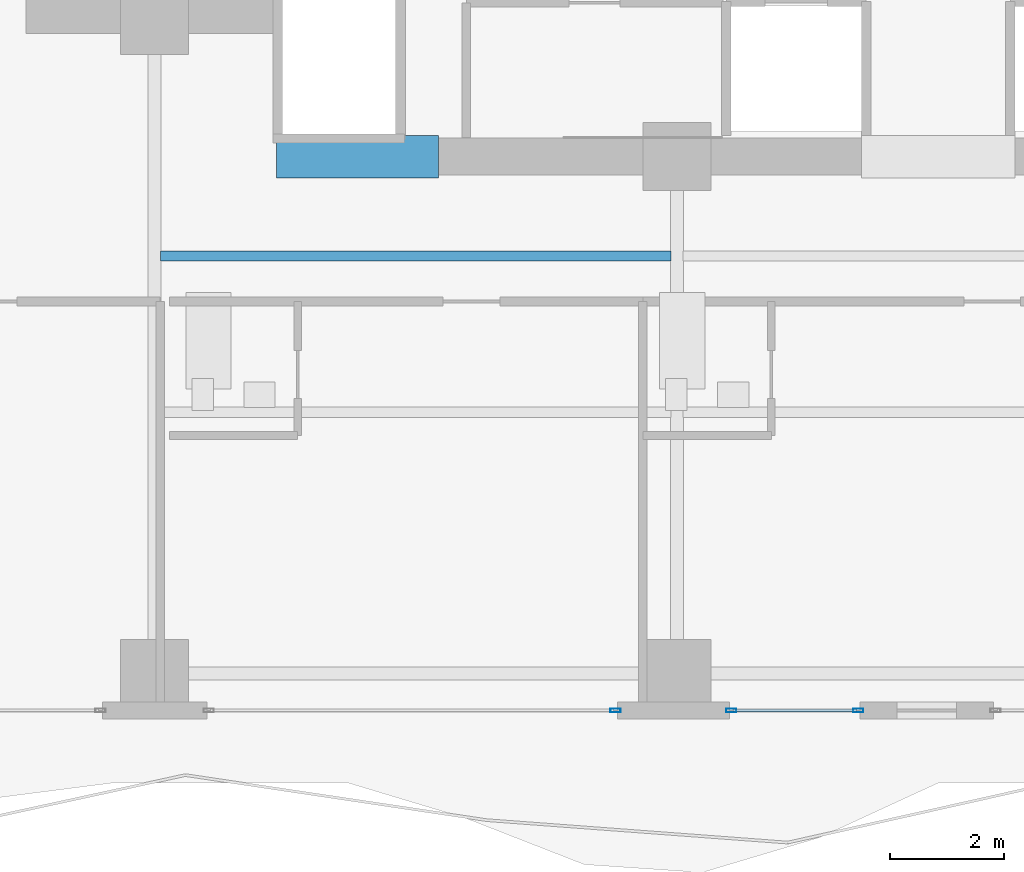
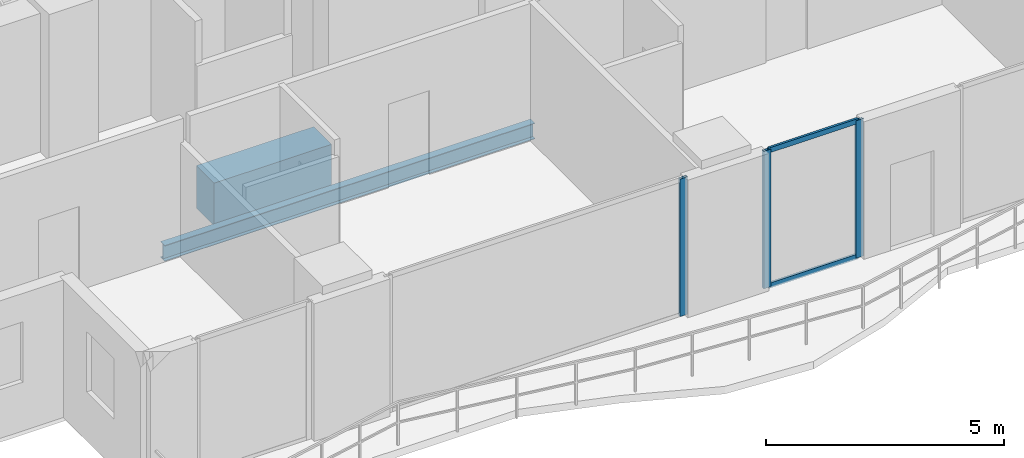
# One storey, part 5 of 32: 5 members, 2 beams, 2 elements without a shape of their own.
"""IFC4 building model written with IfcOpenShell, lengths in metres."""

import ifcopenshell
import ifcopenshell.guid

model = None  # the IFC model being written
_history = None  # IfcOwnerHistory: only IFC2X3 demands one
_inside = {}  # id of a spatial element -> (the spatial element, [elements in it])
_under = {}  # id of a project, library or spatial element -> (it, [spatial elements below it])
_declared = {}  # id of a project -> (the project, [libraries it declares])
_typed = {}  # id of a type object -> (the type object, [elements of that type])
_made_of = {}  # id of a material, layer set ... -> (it, [elements and type objects made of it])


def new_model(schema):
    """Start an empty IFC model of exactly this schema.

    Asked for "IFC4X3", IfcOpenShell would pick the latest addendum, in which some entities
    have other attributes; the version numbers below select the first issue.
    IFC2X3 requires an IfcOwnerHistory on every rooted entity: one is made here for all.
    """
    global model, _history
    if schema == "IFC4X3":
        model = ifcopenshell.file(schema_version=(4, 3, 0, 0))
    else:
        model = ifcopenshell.file(schema=schema)
    _inside.clear()
    _under.clear()
    _declared.clear()
    _typed.clear()
    _made_of.clear()
    _history = None
    if model.schema == "IFC2X3":
        org = make("IfcOrganization", Name="unknown")
        user = make(
            "IfcPersonAndOrganization",
            ThePerson=make("IfcPerson", FamilyName="unknown"),
            TheOrganization=org,
        )
        app = make(
            "IfcApplication",
            ApplicationDeveloper=org,
            Version="unknown",
            ApplicationFullName="unknown",
            ApplicationIdentifier="unknown",
        )
        _history = make(
            "IfcOwnerHistory",
            OwningUser=user,
            OwningApplication=app,
            ChangeAction="ADDED",
            CreationDate=0,
        )
    return model


def make(cls, **values):
    """One entity of the class cls with the attributes given. An attribute that is None is left unset."""
    return model.create_entity(
        cls, **{name: value for name, value in values.items() if value is not None}
    )


def rooted(cls, **values):
    """An entity with a GlobalId (a new one), such as an element, a storey or a relation."""
    return make(cls, GlobalId=ifcopenshell.guid.new(), OwnerHistory=_history, **values)


def si_unit(unit_type, name, prefix=None):
    """IfcSIUnit, for example si_unit("LENGTHUNIT", "METRE", prefix="MILLI")."""
    return make("IfcSIUnit", UnitType=unit_type, Prefix=prefix, Name=name)


def assignment(units):
    """IfcUnitAssignment: the units of a project."""
    return None if units is None else make("IfcUnitAssignment", Units=units)


def point(xyz):
    """IfcCartesianPoint."""
    return None if xyz is None else make("IfcCartesianPoint", Coordinates=xyz)


def direction(xyz):
    """IfcDirection."""
    return None if xyz is None else make("IfcDirection", DirectionRatios=xyz)


def frame(location, z_axis=None, x_axis=None):
    """IfcAxis2Placement3D, a coordinate frame: its origin and axes. An axis left out is left unset."""
    return make(
        "IfcAxis2Placement3D",
        Location=point(location),
        Axis=direction(z_axis),
        RefDirection=direction(x_axis),
    )


def frame_2d(location, x_axis=None):
    """IfcAxis2Placement2D, a coordinate frame in the plane: its origin and x axis."""
    return make(
        "IfcAxis2Placement2D", Location=point(location), RefDirection=direction(x_axis)
    )


def origin():
    """The frame at (0, 0, 0) with its axes left unset."""
    return frame((0.0, 0.0, 0.0))


def origin_2d():
    """The frame at (0, 0) in the plane with its x axis left unset."""
    return frame_2d((0.0, 0.0))


def place(relative_to, where):
    """IfcLocalPlacement: puts the frame where relative to a parent placement (None: the world)."""
    return make(
        "IfcLocalPlacement", PlacementRelTo=relative_to, RelativePlacement=where
    )


def context(
    kind, dimensions, precision=None, world=None, true_north=None, identifier=None
):
    """IfcGeometricRepresentationContext, for example the 3D "Model" context."""
    return make(
        "IfcGeometricRepresentationContext",
        ContextIdentifier=identifier,
        ContextType=kind,
        CoordinateSpaceDimension=dimensions,
        Precision=precision,
        WorldCoordinateSystem=world,
        TrueNorth=true_north,
    )


def subcontext(parent, identifier, kind, view, scale=None):
    """IfcGeometricRepresentationSubContext, for example "Body" below "Model"."""
    return make(
        "IfcGeometricRepresentationSubContext",
        ContextIdentifier=identifier,
        ContextType=kind,
        ParentContext=parent,
        TargetScale=scale,
        TargetView=view,
    )


def project(units=None, contexts=None):
    """IfcProject with its units and contexts."""
    return rooted(
        "IfcProject",
        Name="project",
        RepresentationContexts=contexts,
        UnitsInContext=assignment(units),
    )


def spatial(cls, under=None, at=None, **own):
    """A site, building, storey or space (cls), placed at a placement, below another one or the project."""
    s = rooted(cls, ObjectPlacement=at, **own)
    if under is not None:
        _under.setdefault(under.id(), (under, []))[1].append(s)
    return s


def profile(cls, at=None, kind="AREA", **sizes):
    """A parametric profile (cls). Its sizes go by their IFC names, for example OverallWidth=200.0."""
    return make(cls, ProfileType=kind, Position=at, **sizes)


def rectangle(**sizes):
    """IfcRectangleProfileDef."""
    return profile("IfcRectangleProfileDef", **sizes)


def hollow_rectangle(**sizes):
    """IfcRectangleHollowProfileDef."""
    return profile("IfcRectangleHollowProfileDef", **sizes)


def i_section(**sizes):
    """IfcIShapeProfileDef."""
    return profile("IfcIShapeProfileDef", **sizes)


def extrude(swept, where, along, depth):
    """IfcExtrudedAreaSolid: the profile swept, set in the frame where, extruded along a direction by depth."""
    return make(
        "IfcExtrudedAreaSolid",
        SweptArea=swept,
        Position=where,
        ExtrudedDirection=direction(along),
        Depth=depth,
    )


def shape(context_of_items, identifier, shape_type, items):
    """IfcShapeRepresentation: the items that make up one representation, for example the "Body"."""
    return make(
        "IfcShapeRepresentation",
        ContextOfItems=context_of_items,
        RepresentationIdentifier=identifier,
        RepresentationType=shape_type,
        Items=items,
    )


def material(Name=None, Category=None):
    """IfcMaterial."""
    return make("IfcMaterial", Name=Name, Category=Category)


def layer(
    of_material, thickness, ventilated=None, Name=None, Category=None, Priority=None
):
    """IfcMaterialLayer: one layer of a wall or slab, of a material (None: an air gap)."""
    return make(
        "IfcMaterialLayer",
        Material=of_material,
        LayerThickness=thickness,
        IsVentilated=ventilated,
        Name=Name,
        Category=Category,
        Priority=Priority,
    )


def layer_set(layers, Name=None):
    """IfcMaterialLayerSet."""
    return make("IfcMaterialLayerSet", MaterialLayers=layers, LayerSetName=Name)


def material_profile(
    of_material, cross_section, Name=None, Category=None, Priority=None
):
    """IfcMaterialProfile: a cross section and its material."""
    return make(
        "IfcMaterialProfile",
        Name=Name,
        Material=of_material,
        Profile=cross_section,
        Priority=Priority,
        Category=Category,
    )


def profile_set(profiles, Name=None, composite=None):
    """IfcMaterialProfileSet."""
    return make(
        "IfcMaterialProfileSet",
        Name=Name,
        MaterialProfiles=profiles,
        CompositeProfile=composite,
    )


def made_of(thing, what):
    """Note that an element or type object is made of a material, layer set ...; save() writes the relation."""
    if what is not None:
        _made_of.setdefault(what.id(), (what, []))[1].append(thing)
    return thing


def type_object(cls, material=None, **own):
    """A type object (cls), such as IfcWallType, which elements share."""
    return made_of(rooted(cls, **own), material)


def element(
    cls,
    number,
    at=None,
    inside=None,
    cuts=None,
    type_object=None,
    material=None,
    context=None,
    identifier="Body",
    shape_type=None,
    held_by="IfcProductDefinitionShape",
    body=None,
    shapes=None,
    **own,
):
    """One element of the class cls, such as IfcWall. Its Tag is "e" and its number.

    at: its placement. inside: the storey or other place that contains it. cuts: it is an
    opening in that element (IfcRelVoidsElement). A single representation is given by context,
    identifier, shape_type and body (its items); several are given by shapes. held_by: the class
    of the entity that holds the representations. save() writes the other relations.
    """
    e = rooted(cls, Tag="e%d" % number, ObjectPlacement=at, **own)
    if body is not None:
        shapes = [shape(context, identifier, shape_type, body)]
    if shapes is not None:
        e.Representation = make(held_by, Representations=shapes)
    if inside is not None:
        _inside.setdefault(inside.id(), (inside, []))[1].append(e)
    if cuts is not None:
        rooted(
            "IfcRelVoidsElement", RelatingBuildingElement=cuts, RelatedOpeningElement=e
        )
    if type_object is not None:
        _typed.setdefault(type_object.id(), (type_object, []))[1].append(e)
    return made_of(e, material)


def aggregate(whole, parts):
    """IfcRelAggregates: a whole, such as a stair, and the parts it consists of."""
    return rooted("IfcRelAggregates", RelatingObject=whole, RelatedObjects=parts)


def save(model, path):
    """Write the relations noted so far, then the file.

    IfcRelAggregates (storeys below a building ...), IfcRelContainedInSpatialStructure (elements
    in a storey), IfcRelDefinesByType, IfcRelAssociatesMaterial and IfcRelDeclares: one each for
    every whole, place, type object, material and project.
    """
    for whole, parts in _under.values():
        aggregate(whole, parts)
    for where, things in _inside.values():
        rooted(
            "IfcRelContainedInSpatialStructure",
            RelatedElements=things,
            RelatingStructure=where,
        )
    for kind, things in _typed.values():
        rooted("IfcRelDefinesByType", RelatedObjects=things, RelatingType=kind)
    for what, things in _made_of.values():
        rooted("IfcRelAssociatesMaterial", RelatedObjects=things, RelatingMaterial=what)
    for by, libraries in _declared.values():
        rooted("IfcRelDeclares", RelatingContext=by, RelatedDefinitions=libraries)
    model.write(path)


model = new_model("IFC4")

# Units and contexts
model_context = context("Model", 3, precision=1e-05, world=origin(), true_north=direction((0.0, 1.0)))
body_context = subcontext(model_context, "Body", "Model", "MODEL_VIEW")
ifc_project = project(units=[si_unit("LENGTHUNIT", "METRE"), si_unit("AREAUNIT", "SQUARE_METRE"), si_unit("VOLUMEUNIT", "CUBIC_METRE"), si_unit("PLANEANGLEUNIT", "RADIAN"), si_unit("MASSUNIT", "GRAM", prefix="KILO")], contexts=[model_context])

# Site, building, storey
site_placement = place(None, origin())
site = spatial("IfcSite", under=ifc_project, at=site_placement, CompositionType="ELEMENT")
building_placement = place(site_placement, origin())
building = spatial("IfcBuilding", under=site, at=building_placement, Name="Zuhayl Quay Hotel", CompositionType="ELEMENT")
storey_placement = place(building_placement, frame((0.0, 0.0, 177.39990234375)))
storey = spatial("IfcBuildingStorey", under=building, at=storey_placement, Name="L44", CompositionType="ELEMENT", Elevation=177.39990234375)

# Beams
ifc_material_1 = material(Name="Concrete C60/75", Category="concrete")
ifc_material_profile_1 = material_profile(ifc_material_1, rectangle(XDim=0.75, YDim=1.10009765625, at=origin_2d()), Name="RC750X1100")
ifc_profile_set_1 = profile_set([ifc_material_profile_1], Name="Concrete C60/75")
beam_type_1 = type_object("IfcBeamType", Name="BM_CB2_RC750", PredefinedType="T_BEAM", material=ifc_profile_set_1)
beam_1_placement = place(storey_placement, frame((-11.64990234375, 2.14990234375, -0.77001953125), z_axis=(1.0, 0.0, 0.0), x_axis=(0.0, 1.0, 0.0)))
element("IfcBeam", 1, at=beam_1_placement, inside=storey, type_object=beam_type_1, Name="L44 Core Coupling Beam SW", PredefinedType="T_BEAM", context=body_context, shape_type="SweptSolid", body=[
    extrude(rectangle(XDim=0.75, YDim=1.10009765625, at=origin_2d()), origin(), (0.0, 0.0, 1.0), 2.849853515625),
])
ifc_material_2 = material(Name="Steel ASTM A992 Grade 50", Category="steel")
ifc_material_profile_2 = material_profile(ifc_material_2, i_section(OverallWidth=0.177978515625, OverallDepth=0.406005859375, WebThickness=0.0078125, FlangeThickness=0.0126953125, at=origin_2d()), Name="W16X40")
ifc_profile_set_2 = profile_set([ifc_material_profile_2], Name="Steel ASTM A992 Grade 50")
beam_type_2 = type_object("IfcBeamType", Name="BM_J2B_W16X40", PredefinedType="JOIST", material=ifc_profile_set_2)
beam_2_placement = place(storey_placement, frame((-13.694091796875, 0.39990234375, -0.4228515625), z_axis=(1.0, 0.0, 0.0), x_axis=(0.0, 1.0, 0.0)))
element("IfcBeam", 2, at=beam_2_placement, inside=storey, type_object=beam_type_2, Name="L44 Floor Beam FJ_L44_8_1", PredefinedType="JOIST", context=body_context, shape_type="SweptSolid", body=[
    extrude(i_section(OverallWidth=0.177978515625, OverallDepth=0.406005859375, WebThickness=0.0078125, FlangeThickness=0.0126953125, at=origin_2d()), origin(), (0.0, 0.0, 1.0), 8.988037109375),
])

# Curtain wall, members
ifc_material_3 = material(Name="Anodised Aluminium 6063-T6", Category="aluminium")
ifc_layer = layer(ifc_material_3, 0.175048828125, Name="Anodised Aluminium 6063-T6", Category="aluminium")
ifc_layer_set = layer_set([ifc_layer], Name="Anodised Aluminium 6063-T6")
curtain_wall_type = type_object("IfcCurtainWallType", Name="CW_SYS_Z3", PredefinedType="USERDEFINED", material=ifc_layer_set)
curtain_wall_1_placement = place(storey_placement, origin())
curtain_wall_1 = element("IfcCurtainWall", 3, at=curtain_wall_1_placement, inside=storey, type_object=curtain_wall_type, Name="L44 Curtain Wall ENV_L44_S_CW4", ObjectType="UNITISED CURTAIN WALL", PredefinedType="USERDEFINED")
ifc_material_4 = material(Name="Black-anodised aluminium 6063-T6", Category="aluminium")
ifc_material_profile_3 = material_profile(ifc_material_4, hollow_rectangle(XDim=0.06494140625, YDim=0.179931640625, WallThickness=0.00341796875, at=origin_2d()), Name="ALU180X65")
ifc_profile_set_3 = profile_set([ifc_material_profile_3], Name="Black-anodised aluminium 6063-T6")
member_type_1 = type_object("IfcMemberType", Name="MB_CW_MUL_180", PredefinedType="MULLION", material=ifc_profile_set_3)
member_1_placement = place(storey_placement, frame((-1.407470703125, -7.60009765625, 0.0), z_axis=(0.0, 0.0, 1.0), x_axis=(0.0, -1.0, 0.0)))
member_1 = element("IfcMember", 4, at=member_1_placement, type_object=member_type_1, Name="CW-Z3 mullion 1", PredefinedType="MULLION", context=body_context, shape_type="SweptSolid", body=[
    extrude(hollow_rectangle(XDim=0.06494140625, YDim=0.179931640625, WallThickness=0.00341796875, at=origin_2d()), origin(), (0.0, 0.0, 1.0), 3.530029296875),
])
member_2_placement = place(storey_placement, frame((-3.6474609375, -7.60009765625, 0.0), z_axis=(0.0, 0.0, 1.0), x_axis=(0.0, -1.0, 0.0)))
member_2 = element("IfcMember", 5, at=member_2_placement, type_object=member_type_1, Name="CW-Z3 mullion 2", PredefinedType="MULLION", context=body_context, shape_type="SweptSolid", body=[
    extrude(hollow_rectangle(XDim=0.06494140625, YDim=0.179931640625, WallThickness=0.00341796875, at=origin_2d()), origin(), (0.0, 0.0, 1.0), 3.530029296875),
])

# Curtain wall, member
curtain_wall_2_placement = place(storey_placement, origin())
curtain_wall_2 = element("IfcCurtainWall", 6, at=curtain_wall_2_placement, inside=storey, type_object=curtain_wall_type, Name="L44 Curtain Wall ENV_L44_S_CW5", ObjectType="UNITISED CURTAIN WALL", PredefinedType="USERDEFINED")
member_3_placement = place(storey_placement, frame((-5.6826171875, -7.60009765625, 0.0), z_axis=(0.0, 0.0, 1.0), x_axis=(0.0, -1.0, 0.0)))
member_3 = element("IfcMember", 7, at=member_3_placement, type_object=member_type_1, Name="CW-Z3 mullion 1", PredefinedType="MULLION", context=body_context, shape_type="SweptSolid", body=[
    extrude(hollow_rectangle(XDim=0.06494140625, YDim=0.179931640625, WallThickness=0.00341796875, at=origin_2d()), origin(), (0.0, 0.0, 1.0), 3.530029296875),
])
aggregate(curtain_wall_2, [member_3])

# Member
ifc_material_profile_4 = material_profile(ifc_material_4, hollow_rectangle(XDim=0.054931640625, YDim=0.1298828125, WallThickness=0.0029296875, at=origin_2d()), Name="ALU130X55")
ifc_profile_set_4 = profile_set([ifc_material_profile_4], Name="Black-anodised aluminium 6063-T6")
member_type_2 = type_object("IfcMemberType", Name="MB_CW_TRN_130", PredefinedType="USERDEFINED", material=ifc_profile_set_4)
member_4_placement = place(storey_placement, frame((-1.43994140625, -7.60009765625, 0.027587890625), z_axis=(-1.0, 0.0, 0.0), x_axis=(0.0, -1.0, 0.0)))
member_4 = element("IfcMember", 8, at=member_4_placement, type_object=member_type_2, Name="CW-Z3 transom 1.1", ObjectType="TRANSOM", PredefinedType="USERDEFINED", context=body_context, shape_type="SweptSolid", body=[
    extrude(hollow_rectangle(XDim=0.054931640625, YDim=0.1298828125, WallThickness=0.0029296875, at=origin_2d()), origin(), (0.0, 0.0, 1.0), 2.175048828125),
])

member_5_placement = place(storey_placement, frame((-1.43994140625, -7.60009765625, 3.502685546875), z_axis=(-1.0, 0.0, 0.0), x_axis=(0.0, -1.0, 0.0)))
member_5 = element("IfcMember", 9, at=member_5_placement, type_object=member_type_2, Name="CW-Z3 transom 1.2", ObjectType="TRANSOM", PredefinedType="USERDEFINED", context=body_context, shape_type="SweptSolid", body=[
    extrude(hollow_rectangle(XDim=0.054931640625, YDim=0.1298828125, WallThickness=0.0029296875, at=origin_2d()), origin(), (0.0, 0.0, 1.0), 2.175048828125),
])

aggregate(curtain_wall_1, [member_1, member_2, member_4, member_5])

save(model, "model.ifc")
